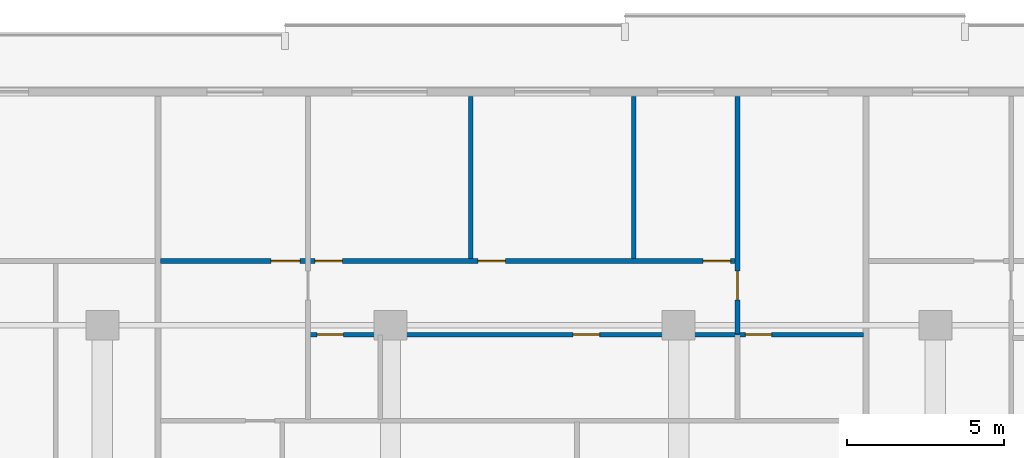
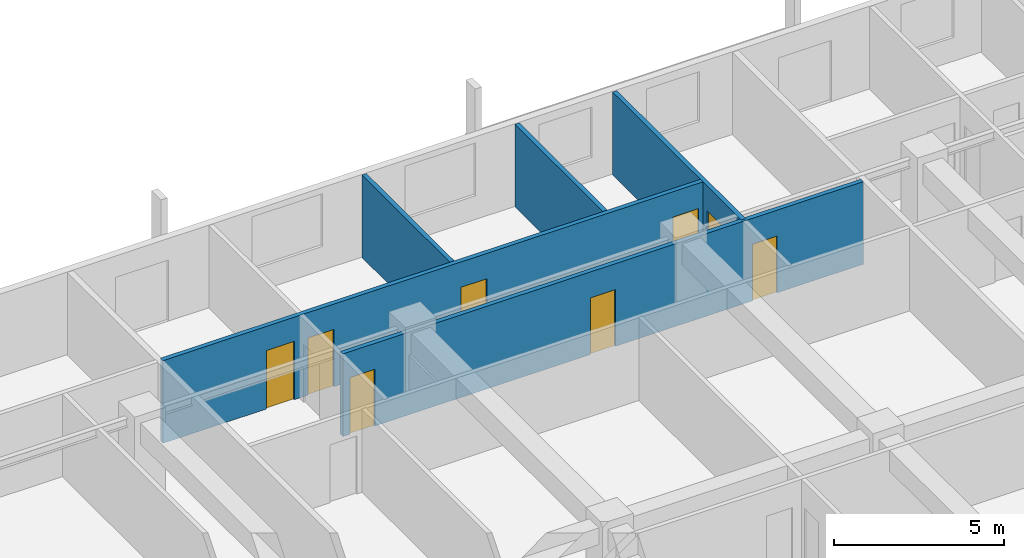
# One storey, part 15 of 23: 8 doors, 5 walls, 8 openings.
"""IFC4 building model written with IfcOpenShell, lengths in metres."""

from ifc_helpers import new_model, si_unit, direction, frame, frame_2d, origin, place, context, subcontext, project, spatial, rectangle, extrude, material, layer, layer_set, type_object, element, fill, save


model = new_model("IFC4")

# Units and contexts
model_context = context("Model", 3, precision=1e-05, world=origin(), true_north=direction((0.0, 1.0)))
body_context = subcontext(model_context, "Body", "Model", "MODEL_VIEW")
ifc_project = project(units=[si_unit("LENGTHUNIT", "METRE"), si_unit("AREAUNIT", "SQUARE_METRE"), si_unit("VOLUMEUNIT", "CUBIC_METRE"), si_unit("PLANEANGLEUNIT", "RADIAN"), si_unit("MASSUNIT", "GRAM", prefix="KILO")], contexts=[model_context])

# Site, building, storey
site_placement = place(None, origin())
site = spatial("IfcSite", under=ifc_project, at=site_placement, CompositionType="ELEMENT")
building_placement = place(site_placement, origin())
building = spatial("IfcBuilding", under=site, at=building_placement, Name="Korimba Cascade Residences", CompositionType="ELEMENT")
storey_placement = place(building_placement, frame((0.0, 0.0, 59.75)))
storey = spatial("IfcBuildingStorey", under=building, at=storey_placement, Name="L16", CompositionType="ELEMENT", Elevation=59.75)

# Walls
ifc_material_1 = material(Name="Insulated Acoustic Stud Partition", Category="gypsum")
ifc_layer = layer(ifc_material_1, 0.14990234375)
ifc_layer_set = layer_set([ifc_layer], Name="Insulated Acoustic Stud Partition")
wall_type = type_object("IfcWallType", Name="WAL-PART-150", PredefinedType="PARTITIONING", material=ifc_layer_set)
for number, where, z_axis, x_axis, name in (
    (1, (105.46728515625, 93.330078125, 0.0), (0.0, 0.0, 1.0), (0.0, 1.0, 0.0), "L16 Partition Wall WAL-L16-T1-U03-VB2"),
    (2, (110.667236328125, 93.330078125, 0.0), (0.0, 0.0, 1.0), (0.0, 1.0, 0.0), "L16 Partition Wall WAL-L16-T1-U03-VB3"),
):
    element("IfcWall", number, at=place(storey_placement, frame(where, z_axis=z_axis, x_axis=x_axis)), inside=storey, type_object=wall_type, Name=name, PredefinedType="PARTITIONING", context=body_context, shape_type="SweptSolid", body=[
        extrude(rectangle(XDim=5.169921875, YDim=0.14990234375, at=frame_2d((2.5849609375, 0.0))), origin(), (0.0, 0.0, 1.0), 2.969970703125),
    ])

# Wall, opening, door
wall_1_placement = place(storey_placement, frame((113.97998046875, 90.919921875, 0.0), z_axis=(0.0, 0.0, 1.0), x_axis=(0.0, 1.0, 0.0)))
wall_1 = element("IfcWall", 3, at=wall_1_placement, inside=storey, type_object=wall_type, Name="L16 Partition Wall WAL-L16-T1-U03-V2FULL", PredefinedType="PARTITIONING", context=body_context, shape_type="SweptSolid", body=[
    extrude(rectangle(XDim=7.580078125, YDim=0.14990234375, at=frame_2d((3.7900390625, 0.0))), origin(), (0.0, 0.0, 1.0), 2.969970703125),
])
opening_1_placement = place(wall_1_placement, frame((1.090087890625, 0.0, 0.0)))
opening_1 = element("IfcOpeningElement", 4, at=opening_1_placement, cuts=wall_1, Name="Opening D-IN1", PredefinedType="OPENING", context=body_context, shape_type="SweptSolid", body=[
    extrude(rectangle(XDim=0.919921875, YDim=2.080078125, at=frame_2d((0.4599609375, 1.0400390625))), frame((0.0, 0.0849609375, 0.0), z_axis=(0.0, -1.0, 0.0), x_axis=(1.0, 0.0, 0.0)), (0.0, 0.0, 1.0), 0.169921875),
])
ifc_material_2 = material(Name="Acoustic Timber Living Door", Category="wood")
door_type_1 = type_object("IfcDoorType", Name="DR-INT-920", OperationType="NOTDEFINED", PredefinedType="DOOR", material=ifc_material_2)
door_1_placement = place(opening_1_placement, origin())
door_1 = element("IfcDoor", 5, at=door_1_placement, inside=storey, type_object=door_type_1, Name="L16-T1-U03 Master Bedroom Door", OperationType="SINGLE_SWING_LEFT", OverallHeight=2.080078125, OverallWidth=0.919921875, PredefinedType="DOOR", context=body_context, shape_type="SweptSolid", body=[
    extrude(rectangle(XDim=0.919921875, YDim=2.080078125, at=frame_2d((0.4599609375, 1.0400390625))), frame((0.0, 0.02490234375, 0.0), z_axis=(0.0, -1.0, 0.0), x_axis=(1.0, 0.0, 0.0)), (0.0, 0.0, 1.0), 0.050048828125),
])
fill(opening_1, door_1)

# Wall, openings, doors
wall_2_placement = place(storey_placement, frame((100.307373046875, 90.89990234375, 0.0), z_axis=(0.0, 0.0, 1.0), x_axis=(1.0, 0.0, 0.0)))
wall_2 = element("IfcWall", 6, at=wall_2_placement, inside=storey, type_object=wall_type, Name="L16 Partition Wall WAL-L16-T1-U03-HWALL", PredefinedType="PARTITIONING", context=body_context, shape_type="SweptSolid", body=[
    extrude(rectangle(XDim=17.69580078125, YDim=0.14990234375, at=frame_2d((8.847900390625, 0.0))), origin(), (0.0, 0.0, 1.0), 2.969970703125),
])
opening_2_placement = place(wall_2_placement, frame((0.25, 0.0, 0.0)))
opening_2 = element("IfcOpeningElement", 7, at=opening_2_placement, cuts=wall_2, Name="Opening D-BT1", PredefinedType="OPENING", context=body_context, shape_type="SweptSolid", body=[
    extrude(rectangle(XDim=0.840087890625, YDim=2.0400390625, at=frame_2d((0.419921875, 1.02001953125))), frame((0.0, 0.0849609375, 0.0), z_axis=(0.0, -1.0, 0.0), x_axis=(1.0, 0.0, 0.0)), (0.0, 0.0, 1.0), 0.169921875),
])
opening_3_placement = place(wall_2_placement, frame((8.427978515625, 0.0, 0.0)))
opening_3 = element("IfcOpeningElement", 8, at=opening_3_placement, cuts=wall_2, Name="Opening D-BT1", PredefinedType="OPENING", context=body_context, shape_type="SweptSolid", body=[
    extrude(rectangle(XDim=0.840087890625, YDim=2.0400390625, at=frame_2d((0.419921875, 1.02001953125))), frame((0.0, 0.0849609375, 0.0), z_axis=(0.0, -1.0, 0.0), x_axis=(1.0, 0.0, 0.0)), (0.0, 0.0, 1.0), 0.169921875),
])
opening_4_placement = place(wall_2_placement, frame((13.922607421875, 0.0, 0.0)))
opening_4 = element("IfcOpeningElement", 9, at=opening_4_placement, cuts=wall_2, Name="Opening D-BT1", PredefinedType="OPENING", context=body_context, shape_type="SweptSolid", body=[
    extrude(rectangle(XDim=0.840087890625, YDim=2.0400390625, at=frame_2d((0.419921875, 1.02001953125))), frame((0.0, 0.0849609375, 0.0), z_axis=(0.0, -1.0, 0.0), x_axis=(1.0, 0.0, 0.0)), (0.0, 0.0, 1.0), 0.169921875),
])
ifc_material_3 = material(Name="Moisture-Resistant Bathroom Timber Door", Category="wood")
door_type_2 = type_object("IfcDoorType", Name="DR-INT-850", OperationType="NOTDEFINED", PredefinedType="DOOR", material=ifc_material_3)
door_2_placement = place(opening_2_placement, origin())
door_2 = element("IfcDoor", 10, at=door_2_placement, inside=storey, type_object=door_type_2, Name="L16-T1-U03 Family Bathroom Door", OperationType="SINGLE_SWING_RIGHT", OverallHeight=2.0400390625, OverallWidth=0.840087890625, PredefinedType="DOOR", context=body_context, shape_type="SweptSolid", body=[
    extrude(rectangle(XDim=0.840087890625, YDim=2.0400390625, at=frame_2d((0.419921875, 1.02001953125))), frame((0.0, 0.02490234375, 0.0), z_axis=(0.0, -1.0, 0.0), x_axis=(1.0, 0.0, 0.0)), (0.0, 0.0, 1.0), 0.050048828125),
])
fill(opening_2, door_2)
door_3_placement = place(opening_3_placement, origin())
door_3 = element("IfcDoor", 11, at=door_3_placement, inside=storey, type_object=door_type_2, Name="L16-T1-U03 Dressing Room Door", OperationType="SINGLE_SWING_LEFT", OverallHeight=2.0400390625, OverallWidth=0.840087890625, PredefinedType="DOOR", context=body_context, shape_type="SweptSolid", body=[
    extrude(rectangle(XDim=0.840087890625, YDim=2.0400390625, at=frame_2d((0.419921875, 1.02001953125))), frame((0.0, 0.02490234375, 0.0), z_axis=(0.0, -1.0, 0.0), x_axis=(1.0, 0.0, 0.0)), (0.0, 0.0, 1.0), 0.050048828125),
])
fill(opening_3, door_3)
door_4_placement = place(opening_4_placement, origin())
door_4 = element("IfcDoor", 12, at=door_4_placement, inside=storey, type_object=door_type_2, Name="L16-T1-U03 En-Suite Door", OperationType="SINGLE_SWING_RIGHT", OverallHeight=2.0400390625, OverallWidth=0.840087890625, PredefinedType="DOOR", context=body_context, shape_type="SweptSolid", body=[
    extrude(rectangle(XDim=0.840087890625, YDim=2.0400390625, at=frame_2d((0.419921875, 1.02001953125))), frame((0.0, 0.02490234375, 0.0), z_axis=(0.0, -1.0, 0.0), x_axis=(1.0, 0.0, 0.0)), (0.0, 0.0, 1.0), 0.050048828125),
])
fill(opening_4, door_4)

wall_3_placement = place(storey_placement, frame((95.557373046875, 93.25, 0.0), z_axis=(0.0, 0.0, 1.0), x_axis=(1.0, 0.0, 0.0)))
wall_3 = element("IfcWall", 13, at=wall_3_placement, inside=storey, type_object=wall_type, Name="L16 Partition Wall WAL-L16-T1-U03-HZ", PredefinedType="PARTITIONING", context=body_context, shape_type="SweptSolid", body=[
    extrude(rectangle(XDim=18.422607421875, YDim=0.14990234375, at=frame_2d((9.21142578125, 0.0))), origin(), (0.0, 0.0, 1.0), 2.969970703125),
])
opening_5_placement = place(wall_3_placement, frame((3.52001953125, 0.0, 0.0)))
opening_5 = element("IfcOpeningElement", 14, at=opening_5_placement, cuts=wall_3, Name="Opening D-IN0", PredefinedType="OPENING", context=body_context, shape_type="SweptSolid", body=[
    extrude(rectangle(XDim=0.93994140625, YDim=2.10009765625, at=frame_2d((0.469970703125, 1.050048828125))), frame((0.0, 0.0849609375, 0.0), z_axis=(0.0, -1.0, 0.0), x_axis=(1.0, 0.0, 0.0)), (0.0, 0.0, 1.0), 0.169921875),
])
opening_6_placement = place(wall_3_placement, frame((4.929931640625, 0.0, 0.0)))
opening_6 = element("IfcOpeningElement", 15, at=opening_6_placement, cuts=wall_3, Name="Opening D-IN2", PredefinedType="OPENING", context=body_context, shape_type="SweptSolid", body=[
    extrude(rectangle(XDim=0.8798828125, YDim=2.06005859375, at=frame_2d((0.43994140625, 1.030029296875))), frame((0.0, 0.0849609375, 0.0), z_axis=(0.0, -1.0, 0.0), x_axis=(1.0, 0.0, 0.0)), (0.0, 0.0, 1.0), 0.169921875),
])
opening_7_placement = place(wall_3_placement, frame((10.1298828125, 0.0, 0.0)))
opening_7 = element("IfcOpeningElement", 16, at=opening_7_placement, cuts=wall_3, Name="Opening D-IN2", PredefinedType="OPENING", context=body_context, shape_type="SweptSolid", body=[
    extrude(rectangle(XDim=0.8798828125, YDim=2.06005859375, at=frame_2d((0.43994140625, 1.030029296875))), frame((0.0, 0.0849609375, 0.0), z_axis=(0.0, -1.0, 0.0), x_axis=(1.0, 0.0, 0.0)), (0.0, 0.0, 1.0), 0.169921875),
])
opening_8_placement = place(wall_3_placement, frame((17.32275390625, 0.0, 0.0)))
opening_8 = element("IfcOpeningElement", 17, at=opening_8_placement, cuts=wall_3, Name="Opening D-IN2", PredefinedType="OPENING", context=body_context, shape_type="SweptSolid", body=[
    extrude(rectangle(XDim=0.8798828125, YDim=2.06005859375, at=frame_2d((0.43994140625, 1.030029296875))), frame((0.0, 0.0849609375, 0.0), z_axis=(0.0, -1.0, 0.0), x_axis=(1.0, 0.0, 0.0)), (0.0, 0.0, 1.0), 0.169921875),
])
ifc_material_4 = material(Name="Acoustic Timber Bedroom Door", Category="wood")
door_type_3 = type_object("IfcDoorType", Name="DR-INT-880", OperationType="NOTDEFINED", PredefinedType="DOOR", material=ifc_material_4)
door_5_placement = place(opening_6_placement, origin())
door_5 = element("IfcDoor", 18, at=door_5_placement, inside=storey, type_object=door_type_3, Name="L16-T1-U03 Bedroom 2 Door", OperationType="SINGLE_SWING_LEFT", OverallHeight=2.06005859375, OverallWidth=0.8798828125, PredefinedType="DOOR", context=body_context, shape_type="SweptSolid", body=[
    extrude(rectangle(XDim=0.8798828125, YDim=2.06005859375, at=frame_2d((0.43994140625, 1.030029296875))), frame((0.0, 0.02490234375, 0.0), z_axis=(0.0, -1.0, 0.0), x_axis=(1.0, 0.0, 0.0)), (0.0, 0.0, 1.0), 0.050048828125),
])
fill(opening_6, door_5)
door_6_placement = place(opening_7_placement, origin())
door_6 = element("IfcDoor", 19, at=door_6_placement, inside=storey, type_object=door_type_3, Name="L16-T1-U03 Bedroom 3 Door", OperationType="SINGLE_SWING_RIGHT", OverallHeight=2.06005859375, OverallWidth=0.8798828125, PredefinedType="DOOR", context=body_context, shape_type="SweptSolid", body=[
    extrude(rectangle(XDim=0.8798828125, YDim=2.06005859375, at=frame_2d((0.43994140625, 1.030029296875))), frame((0.0, 0.02490234375, 0.0), z_axis=(0.0, -1.0, 0.0), x_axis=(1.0, 0.0, 0.0)), (0.0, 0.0, 1.0), 0.050048828125),
])
fill(opening_7, door_6)
door_7_placement = place(opening_8_placement, origin())
door_7 = element("IfcDoor", 20, at=door_7_placement, inside=storey, type_object=door_type_3, Name="L16-T1-U03 Study Door", OperationType="SINGLE_SWING_LEFT", OverallHeight=2.06005859375, OverallWidth=0.8798828125, PredefinedType="DOOR", context=body_context, shape_type="SweptSolid", body=[
    extrude(rectangle(XDim=0.8798828125, YDim=2.06005859375, at=frame_2d((0.43994140625, 1.030029296875))), frame((0.0, 0.02490234375, 0.0), z_axis=(0.0, -1.0, 0.0), x_axis=(1.0, 0.0, 0.0)), (0.0, 0.0, 1.0), 0.050048828125),
])
fill(opening_8, door_7)
ifc_material_5 = material(Name="Acoustic Timber Living Archway Door", Category="wood")
door_type_4 = type_object("IfcDoorType", Name="DR-INT-950", OperationType="NOTDEFINED", PredefinedType="DOOR", material=ifc_material_5)
door_8_placement = place(opening_5_placement, origin())
door_8 = element("IfcDoor", 21, at=door_8_placement, inside=storey, type_object=door_type_4, Name="L16-T1-U03 Living Room Door", OperationType="SINGLE_SWING_RIGHT", OverallHeight=2.10009765625, OverallWidth=0.93994140625, PredefinedType="DOOR", context=body_context, shape_type="SweptSolid", body=[
    extrude(rectangle(XDim=0.93994140625, YDim=2.10009765625, at=frame_2d((0.469970703125, 1.050048828125))), frame((0.0, 0.02490234375, 0.0), z_axis=(0.0, -1.0, 0.0), x_axis=(1.0, 0.0, 0.0)), (0.0, 0.0, 1.0), 0.050048828125),
])
fill(opening_5, door_8)

save(model, "model.ifc")
